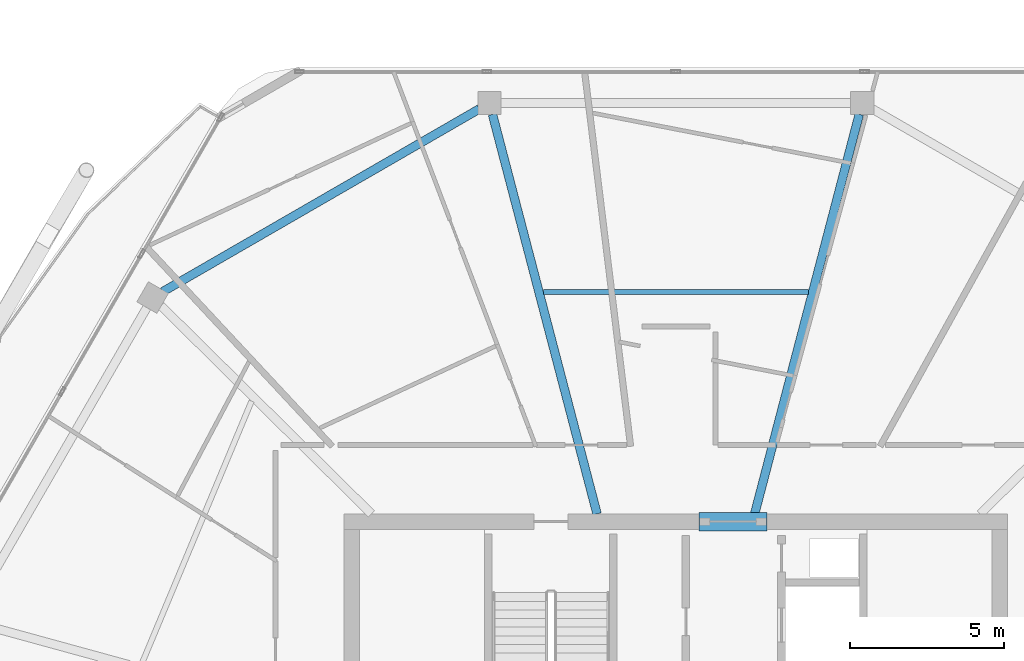
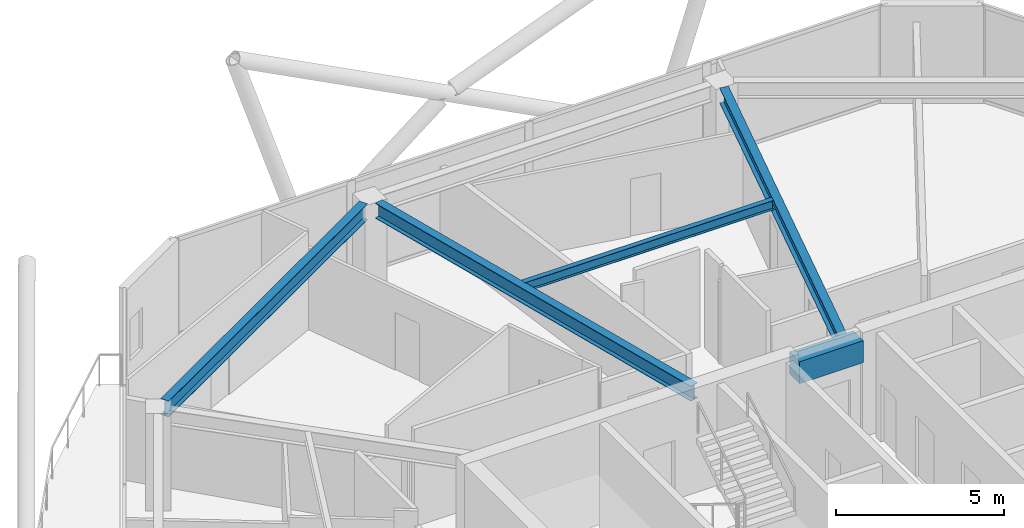
# One storey, part 11 of 24: 5 beams.
"""IFC4 building model written with IfcOpenShell, lengths in metres."""

from ifc_helpers import new_model, si_unit, direction, frame, origin, origin_2d, place, context, subcontext, project, spatial, rectangle, i_section, extrude, material, material_profile, profile_set, type_object, element, save


model = new_model("IFC4")

# Units and contexts
model_context = context("Model", 3, precision=1e-05, world=origin(), true_north=direction((0.0, 1.0)))
body_context = subcontext(model_context, "Body", "Model", "MODEL_VIEW")
ifc_project = project(units=[si_unit("LENGTHUNIT", "METRE"), si_unit("AREAUNIT", "SQUARE_METRE"), si_unit("VOLUMEUNIT", "CUBIC_METRE"), si_unit("PLANEANGLEUNIT", "RADIAN"), si_unit("MASSUNIT", "GRAM", prefix="KILO")], contexts=[model_context])

# Site, building, storey
site_placement = place(None, origin())
site = spatial("IfcSite", under=ifc_project, at=site_placement, CompositionType="ELEMENT")
building_placement = place(site_placement, origin())
building = spatial("IfcBuilding", under=site, at=building_placement, Name="Zuhravey Tower", CompositionType="ELEMENT")
storey_placement = place(building_placement, frame((0.0, 0.0, 338.60009765625)))
storey = spatial("IfcBuildingStorey", under=building, at=storey_placement, Name="L86", CompositionType="ELEMENT", Elevation=338.60009765625)

# Beams
ifc_material_1 = material(Name="Concrete C50/60", Category="concrete")
ifc_material_profile_1 = material_profile(ifc_material_1, rectangle(XDim=0.60009765625, YDim=0.800048828125, at=origin_2d()), Name="RC-600x800")
ifc_profile_set_1 = profile_set([ifc_material_profile_1], Name="Concrete C50/60")
beam_type_1 = type_object("IfcBeamType", Name="Core Coupling Beam RC600x800", PredefinedType="LINTEL", material=ifc_profile_set_1)
beam_1_placement = place(storey_placement, frame((36.751953125, 41.5, 3.14990234375), z_axis=(1.0, 0.0, 0.0), x_axis=(0.0, 1.0, 0.0)))
element("IfcBeam", 1, at=beam_1_placement, inside=storey, type_object=beam_type_1, Name="L86 CB2 BM-L86-CB-N", PredefinedType="LINTEL", context=body_context, shape_type="SweptSolid", body=[
    extrude(rectangle(XDim=0.60009765625, YDim=0.800048828125, at=origin_2d()), origin(), (0.0, 0.0, 1.0), 2.196044921875),
])
ifc_material_2 = material(Name="Steel SM355", Category="steel")
ifc_material_profile_2 = material_profile(ifc_material_2, i_section(OverallWidth=0.280029296875, OverallDepth=0.580078125, WebThickness=0.011962890625, FlangeThickness=0.01904296875, at=origin_2d()), Name="H-580x280x12x19")
ifc_profile_set_2 = profile_set([ifc_material_profile_2], Name="Steel SM355")
beam_type_2 = type_object("IfcBeamType", Name="Perimeter Ring Beam H580x280", PredefinedType="BEAM", material=ifc_profile_set_2)
beam_2_placement = place(storey_placement, frame((29.634033203125, 54.875, 3.260009765625), z_axis=(-0.866030838723, -0.499990586292, 0.0), x_axis=(0.499990586292, -0.866030838723, 0.0)))
element("IfcBeam", 2, at=beam_2_placement, inside=storey, type_object=beam_type_2, Name="L86 PB4 BM-L86-PB-04", PredefinedType="BEAM", context=body_context, shape_type="SweptSolid", body=[
    extrude(i_section(OverallWidth=0.280029296875, OverallDepth=0.580078125, WebThickness=0.011962890625, FlangeThickness=0.01904296875, at=origin_2d()), origin(), (0.0, 0.0, 1.0), 11.848876953125),
])
ifc_material_profile_3 = material_profile(ifc_material_2, i_section(OverallWidth=0.280029296875, OverallDepth=0.550048828125, WebThickness=0.010986328125, FlangeThickness=0.01806640625, at=origin_2d()), Name="H-550x280x11x18")
ifc_profile_set_3 = profile_set([ifc_material_profile_3], Name="Steel SM355")
beam_type_3 = type_object("IfcBeamType", Name="Radial Primary Girder H550x280", PredefinedType="BEAM", material=ifc_profile_set_3)
for number, where, z_axis, x_axis, name in (
    (3, (38.553466796875, 41.7529296875, 3.27490234375), (0.253282562653, 0.967392342049, 0.0), (-0.967392342049, 0.253282562653, 0.0), "L86 RG4 BM-L86-RAD-03"),
    (4, (33.446533203125, 41.7529296875, 3.27490234375), (-0.253282562653, 0.967392342049, 0.0), (-0.967392342049, -0.253282562653, 0.0), "L86 RG4 BM-L86-RAD-04"),
):
    element("IfcBeam", number, at=place(storey_placement, frame(where, z_axis=z_axis, x_axis=x_axis)), inside=storey, type_object=beam_type_3, Name=name, PredefinedType="BEAM", context=body_context, shape_type="SweptSolid", body=[
        extrude(i_section(OverallWidth=0.280029296875, OverallDepth=0.550048828125, WebThickness=0.010986328125, FlangeThickness=0.01806640625, at=origin_2d()), origin(), (0.0, 0.0, 1.0), 13.3818359375),
    ])
ifc_material_profile_4 = material_profile(ifc_material_2, i_section(OverallWidth=0.175048828125, OverallDepth=0.35009765625, WebThickness=0.007080078125, FlangeThickness=0.010986328125, at=origin_2d()), Name="H-350x175x7x11")
ifc_profile_set_4 = profile_set([ifc_material_profile_4], Name="Steel SM355")
beam_type_4 = type_object("IfcBeamType", Name="Secondary Floor Joist H350x175", PredefinedType="JOIST", material=ifc_profile_set_4)
beam_3_placement = place(storey_placement, frame((40.29150390625, 48.94091796875, 3.375), z_axis=(-1.0, 0.0, 0.0), x_axis=(0.0, -1.0, 0.0)))
element("IfcBeam", 5, at=beam_3_placement, inside=storey, type_object=beam_type_4, Name="L86 SJ3 BM-L86-SJ-03-1", PredefinedType="JOIST", context=body_context, shape_type="SweptSolid", body=[
    extrude(i_section(OverallWidth=0.175048828125, OverallDepth=0.35009765625, WebThickness=0.007080078125, FlangeThickness=0.010986328125, at=origin_2d()), origin(), (0.0, 0.0, 1.0), 8.5830078125),
])

save(model, "model.ifc")
